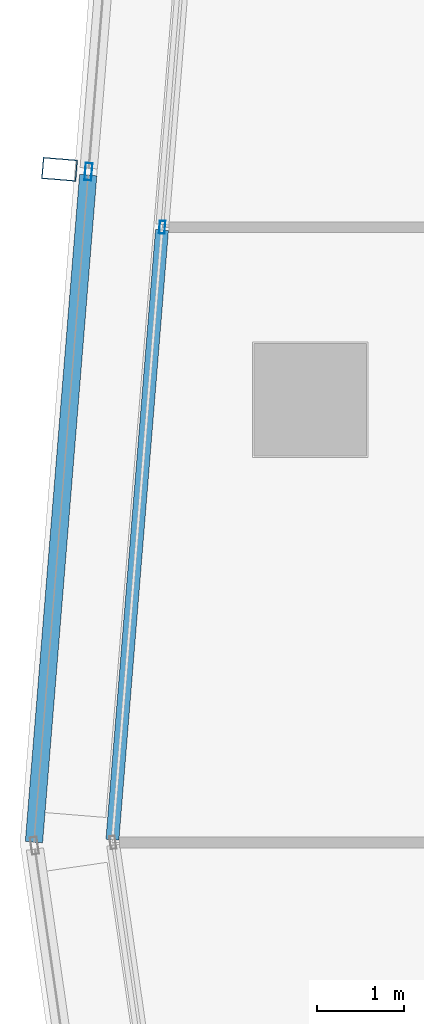
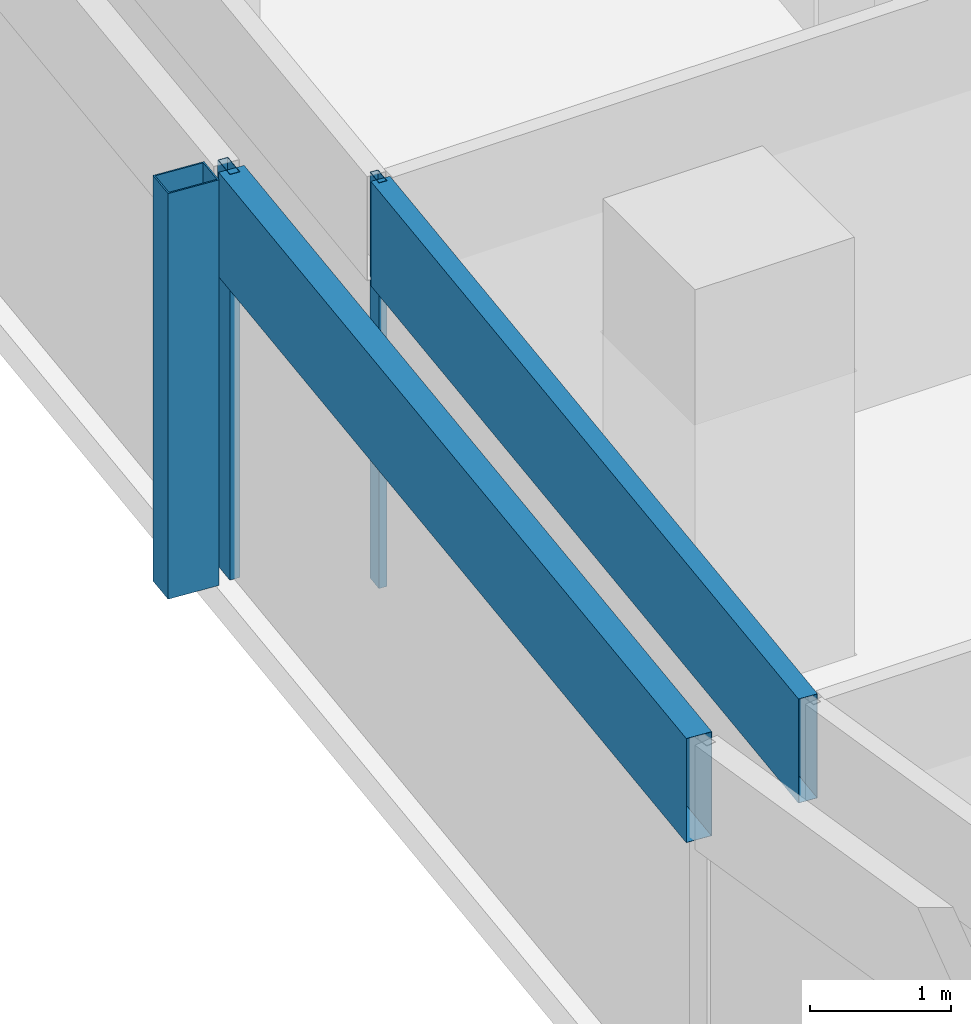
# One storey, part 7 of 29: 5 members, 2 elements without a shape of their own.
"""IFC4 building model written with IfcOpenShell, lengths in metres."""

from ifc_helpers import new_model, si_unit, direction, frame, origin, origin_2d, place, context, subcontext, project, spatial, hollow_rectangle, extrude, material, material_profile, profile_set, type_object, element, aggregate, save


model = new_model("IFC4")

# Units and contexts
model_context = context("Model", 3, precision=1e-05, world=origin(), true_north=direction((0.0, 1.0)))
body_context = subcontext(model_context, "Body", "Model", "MODEL_VIEW")
ifc_project = project(units=[si_unit("LENGTHUNIT", "METRE"), si_unit("AREAUNIT", "SQUARE_METRE"), si_unit("VOLUMEUNIT", "CUBIC_METRE"), si_unit("PLANEANGLEUNIT", "RADIAN"), si_unit("MASSUNIT", "GRAM", prefix="KILO")], contexts=[model_context])

# Site, building, storey
site_placement = place(None, origin())
site = spatial("IfcSite", under=ifc_project, at=site_placement, CompositionType="ELEMENT")
building_placement = place(site_placement, origin())
building = spatial("IfcBuilding", under=site, at=building_placement, Name="Rekha Terrace Tower", CompositionType="ELEMENT")
storey_placement = place(building_placement, frame((0.0, 0.0, 280.10009765625)))
storey = spatial("IfcBuildingStorey", under=building, at=storey_placement, Name="L71", CompositionType="ELEMENT", Elevation=280.10009765625)

# Curtain wall, member
ifc_material_1 = material(Name="Aluminium framing", Category="aluminium")
curtain_wall_type_1 = type_object("IfcCurtainWallType", Name="CW2 double skin outer glazing", PredefinedType="USERDEFINED", material=ifc_material_1)
curtain_wall_1_placement = place(storey_placement, origin())
curtain_wall_1 = element("IfcCurtainWall", 1, at=curtain_wall_1_placement, inside=storey, type_object=curtain_wall_type_1, Name="CW2 double skin outer glazing", ObjectType="DOUBLE SKIN OUTER GLAZING", PredefinedType="USERDEFINED")
ifc_material_2 = material(Name="Steel S355 with fluorocarbon finish", Category="steel")
ifc_material_profile_1 = material_profile(ifc_material_2, hollow_rectangle(XDim=0.25, YDim=0.39990234375, WallThickness=0.012451171875, at=origin_2d()), Name="RHS400x250x12.5")
ifc_profile_set_1 = profile_set([ifc_material_profile_1], Name="Steel S355 with fluorocarbon finish")
member_type_1 = type_object("IfcMemberType", Name="BL1 facade blade RHS 400 x 250", PredefinedType="USERDEFINED", material=ifc_profile_set_1)
member_1_placement = place(storey_placement, frame((5.506103515625, 36.257568359375, 0.0), z_axis=(0.0, 0.0, 1.0), x_axis=(-0.081068747348, -0.996708512156, 0.0)))
member_1 = element("IfcMember", 2, at=member_1_placement, type_object=member_type_1, Name="Facade blade", ObjectType="FACADE BLADE", PredefinedType="USERDEFINED", context=body_context, shape_type="SweptSolid", body=[
    extrude(hollow_rectangle(XDim=0.25, YDim=0.39990234375, WallThickness=0.012451171875, at=origin_2d()), origin(), (0.0, 0.0, 1.0), 3.5),
])

# Curtain wall, members
curtain_wall_type_2 = type_object("IfcCurtainWallType", Name="CW1 double skin inner glazing", PredefinedType="USERDEFINED", material=ifc_material_1)
curtain_wall_2_placement = place(storey_placement, origin())
curtain_wall_2 = element("IfcCurtainWall", 3, at=curtain_wall_2_placement, inside=storey, type_object=curtain_wall_type_2, Name="CW1 double skin inner glazing", ObjectType="DOUBLE SKIN INNER GLAZING", PredefinedType="USERDEFINED")
ifc_material_3 = material(Name="Aluminium mullion section", Category="aluminium")
ifc_material_profile_2 = material_profile(ifc_material_3, hollow_rectangle(XDim=0.06494140625, YDim=0.14990234375, WallThickness=0.00390625, at=origin_2d()), Name="AL RHS 65x150")
ifc_profile_set_2 = profile_set([ifc_material_profile_2], Name="Aluminium mullion section")
member_type_2 = type_object("IfcMemberType", Name="CW1 mullion RHS 65 x 150", PredefinedType="MULLION", material=ifc_profile_set_2)
member_2_placement = place(storey_placement, frame((6.69091796875, 35.58984375, 0.0), z_axis=(0.0, 0.0, 1.0), x_axis=(0.996708580524, -0.081067906781, 0.0)))
member_2 = element("IfcMember", 4, at=member_2_placement, type_object=member_type_2, Name="CW1 mullion 3", PredefinedType="MULLION", context=body_context, shape_type="SweptSolid", body=[
    extrude(hollow_rectangle(XDim=0.06494140625, YDim=0.14990234375, WallThickness=0.00390625, at=origin_2d()), origin(), (0.0, 0.0, 1.0), 3.5),
])
ifc_material_4 = material(Name="Insulated aluminium spandrel box", Category="aluminium")
ifc_material_profile_3 = material_profile(ifc_material_4, hollow_rectangle(XDim=0.14990234375, YDim=0.89990234375, WallThickness=0.0029296875, at=origin_2d()), Name="AL SPANDREL BOX 150x900")
ifc_profile_set_3 = profile_set([ifc_material_profile_3], Name="Insulated aluminium spandrel box")
member_type_3 = type_object("IfcMemberType", Name="CW1 spandrel transom 150 x 900", PredefinedType="USERDEFINED", material=ifc_profile_set_3)
member_3_placement = place(storey_placement, frame((6.688232421875, 35.557373046875, 3.0498046875), z_axis=(-0.081052724461, -0.996709815271, 0.0), x_axis=(0.996709815271, -0.081052724461, 0.0)))
member_3 = element("IfcMember", 5, at=member_3_placement, type_object=member_type_3, Name="CW1 spandrel transom 3", ObjectType="TRANSOM", PredefinedType="USERDEFINED", context=body_context, shape_type="SweptSolid", body=[
    extrude(hollow_rectangle(XDim=0.14990234375, YDim=0.89990234375, WallThickness=0.0029296875, at=origin_2d()), origin(), (0.0, 0.0, 1.0), 7.057373046875),
])
aggregate(curtain_wall_2, [member_2, member_3])

# Member
ifc_material_profile_4 = material_profile(ifc_material_3, hollow_rectangle(XDim=0.080078125, YDim=0.199951171875, WallThickness=0.00390625, at=origin_2d()), Name="AL RHS 80x200")
ifc_profile_set_4 = profile_set([ifc_material_profile_4], Name="Aluminium mullion section")
member_type_4 = type_object("IfcMemberType", Name="CW2 mullion RHS 80 x 200", PredefinedType="MULLION", material=ifc_profile_set_4)
member_4_placement = place(storey_placement, frame((5.840087890625, 36.23046875, 0.0), z_axis=(0.0, 0.0, 1.0), x_axis=(0.996708580521, -0.081067906816, 0.0)))
member_4 = element("IfcMember", 6, at=member_4_placement, type_object=member_type_4, Name="CW2 mullion 3", PredefinedType="MULLION", context=body_context, shape_type="SweptSolid", body=[
    extrude(hollow_rectangle(XDim=0.080078125, YDim=0.199951171875, WallThickness=0.00390625, at=origin_2d()), origin(), (0.0, 0.0, 1.0), 3.5),
])

ifc_material_profile_5 = material_profile(ifc_material_4, hollow_rectangle(XDim=0.199951171875, YDim=0.89990234375, WallThickness=0.0029296875, at=origin_2d()), Name="AL SPANDREL BOX 200x900")
ifc_profile_set_5 = profile_set([ifc_material_profile_5], Name="Insulated aluminium spandrel box")
member_type_5 = type_object("IfcMemberType", Name="CW2 spandrel transom 200 x 900", PredefinedType="USERDEFINED", material=ifc_profile_set_5)
member_5_placement = place(storey_placement, frame((5.8369140625, 36.190673828125, 3.0498046875), z_axis=(-0.08107481866, -0.996708018318, 0.0), x_axis=(0.996708018318, -0.08107481866, 0.0)))
member_5 = element("IfcMember", 7, at=member_5_placement, type_object=member_type_5, Name="CW2 spandrel transom 3", ObjectType="TRANSOM", PredefinedType="USERDEFINED", context=body_context, shape_type="SweptSolid", body=[
    extrude(hollow_rectangle(XDim=0.199951171875, YDim=0.89990234375, WallThickness=0.0029296875, at=origin_2d()), origin(), (0.0, 0.0, 1.0), 7.720947265625),
])

aggregate(curtain_wall_1, [member_4, member_5, member_1])

save(model, "model.ifc")
